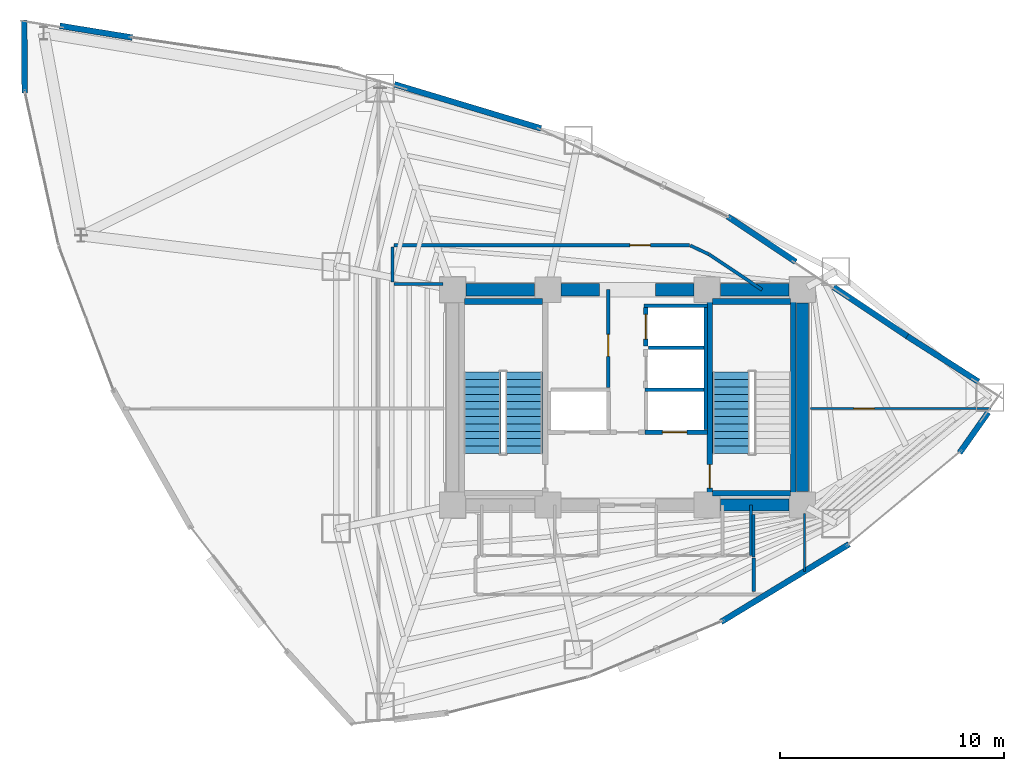
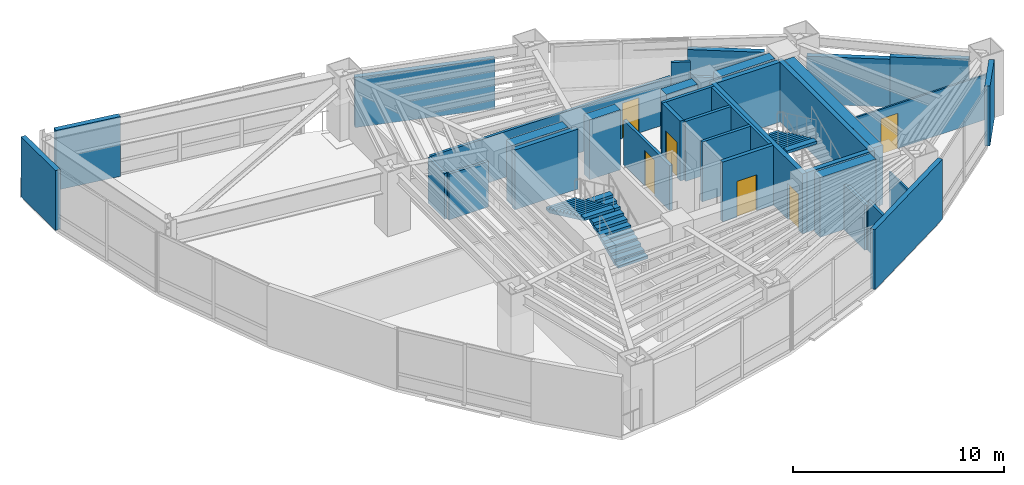
# One storey, part 20 of 23: 36 walls, 6 doors, 3 stair flights, 6 openings, 2 elements without a shape of their own.
"""IFC4 building model written with IfcOpenShell, lengths in metres."""

from ifc_helpers import new_model, si_unit, direction, frame, frame_2d, origin, place, context, subcontext, project, spatial, polyline, rectangle, outline, extrude, material, layer, layer_set, type_object, element, fill, aggregate, save


model = new_model("IFC4")

# Units and contexts
model_context = context("Model", 3, precision=1e-05, world=origin(), true_north=direction((0.0, 1.0)))
body_context = subcontext(model_context, "Body", "Model", "MODEL_VIEW")
ifc_project = project(units=[si_unit("LENGTHUNIT", "METRE"), si_unit("AREAUNIT", "SQUARE_METRE"), si_unit("VOLUMEUNIT", "CUBIC_METRE"), si_unit("PLANEANGLEUNIT", "RADIAN"), si_unit("MASSUNIT", "GRAM", prefix="KILO")], contexts=[model_context])

# Site, building, storey
site_placement = place(None, origin())
site = spatial("IfcSite", under=ifc_project, at=site_placement, CompositionType="ELEMENT")
building_placement = place(site_placement, origin())
building = spatial("IfcBuilding", under=site, at=building_placement, Name="Menara Vayukalpa", CompositionType="ELEMENT")
storey_placement = place(building_placement, frame((0.0, 0.0, 107.699951171875)))
storey = spatial("IfcBuildingStorey", under=building, at=storey_placement, Name="L26", CompositionType="ELEMENT", Elevation=107.699951171875)

# Walls
ifc_material_1 = material(Name="Concrete C60/75", Category="concrete")
ifc_layer_1 = layer(ifc_material_1, 0.550048828125)
ifc_layer_set_1 = layer_set([ifc_layer_1], Name="Concrete C60/75")
wall_type_1 = type_object("IfcWallType", Name="WAL-CW550", PredefinedType="SHEAR", material=ifc_layer_set_1)
wall_1_placement = place(storey_placement, frame((29.7451171875, 17.199951171875, 0.0), z_axis=(0.0, 0.0, 1.0), x_axis=(1.0, 0.0, 0.0)))
element("IfcWall", 1, at=wall_1_placement, inside=storey, type_object=wall_type_1, Name="L26 Buttressed Core Shear Wall CWS4", PredefinedType="SHEAR", context=body_context, shape_type="SweptSolid", body=[
    extrude(rectangle(XDim=3.059814453125, YDim=0.550048828125, at=frame_2d((1.52978515625, 0.0))), origin(), (0.0, 0.0, 1.0), 3.469970703125),
])
wall_2_placement = place(storey_placement, frame((18.39501953125, 26.800048828125, 0.0), z_axis=(0.0, 0.0, 1.0), x_axis=(1.0, 0.0, 0.0)))
element("IfcWall", 2, at=wall_2_placement, inside=storey, type_object=wall_type_1, Name="L26 Buttressed Core Shear Wall CWN1", PredefinedType="SHEAR", context=body_context, shape_type="SweptSolid", body=[
    extrude(rectangle(XDim=3.06005859375, YDim=0.550048828125, at=frame_2d((1.530029296875, 0.0))), origin(), (0.0, 0.0, 1.0), 3.469970703125),
])
wall_3_placement = place(storey_placement, frame((22.64501953125, 26.800048828125, 0.0), z_axis=(0.0, 0.0, 1.0), x_axis=(1.0, 0.0, 0.0)))
element("IfcWall", 3, at=wall_3_placement, inside=storey, type_object=wall_type_1, Name="L26 Buttressed Core Shear Wall CWN2", PredefinedType="SHEAR", context=body_context, shape_type="SweptSolid", body=[
    extrude(rectangle(XDim=1.705078125, YDim=0.550048828125, at=frame_2d((0.8525390625, 0.0))), origin(), (0.0, 0.0, 1.0), 3.469970703125),
])
wall_4_placement = place(storey_placement, frame((26.85009765625, 26.800048828125, 0.0), z_axis=(0.0, 0.0, 1.0), x_axis=(1.0, 0.0, 0.0)))
element("IfcWall", 4, at=wall_4_placement, inside=storey, type_object=wall_type_1, Name="L26 Buttressed Core Shear Wall CWN3", PredefinedType="SHEAR", context=body_context, shape_type="SweptSolid", body=[
    extrude(rectangle(XDim=1.704833984375, YDim=0.550048828125, at=frame_2d((0.8525390625, 0.0))), origin(), (0.0, 0.0, 1.0), 3.469970703125),
])
wall_5_placement = place(storey_placement, frame((29.7451171875, 26.800048828125, 0.0), z_axis=(0.0, 0.0, 1.0), x_axis=(1.0, 0.0, 0.0)))
element("IfcWall", 5, at=wall_5_placement, inside=storey, type_object=wall_type_1, Name="L26 Buttressed Core Shear Wall CWN4", PredefinedType="SHEAR", context=body_context, shape_type="SweptSolid", body=[
    extrude(rectangle(XDim=3.059814453125, YDim=0.550048828125, at=frame_2d((1.52978515625, 0.0))), origin(), (0.0, 0.0, 1.0), 3.469970703125),
])
wall_6_placement = place(storey_placement, frame((33.39990234375, 17.794921875, 0.0), z_axis=(0.0, 0.0, 1.0), x_axis=(0.0, 1.0, 0.0)))
element("IfcWall", 6, at=wall_6_placement, inside=storey, type_object=wall_type_1, Name="L26 Buttressed Core Shear Wall CWE1", PredefinedType="SHEAR", context=body_context, shape_type="SweptSolid", body=[
    extrude(rectangle(XDim=8.41015625, YDim=0.550048828125, at=frame_2d((4.205078125, 0.0))), origin(), (0.0, 0.0, 1.0), 3.469970703125),
])
ifc_material_2 = material(Name="Insulated Precast Concrete C40/50", Category="concrete")
ifc_layer_2 = layer(ifc_material_2, 0.260009765625)
ifc_layer_set_2 = layer_set([ifc_layer_2], Name="Insulated Precast Concrete C40/50")
wall_type_2 = type_object("IfcWallType", Name="WAL-EXT260", PredefinedType="PARTITIONING", material=ifc_layer_set_2)
wall_7_placement = place(storey_placement, frame((41.682373046875, 21.331298828125, 0.0), z_axis=(0.0, 0.0, 1.0), x_axis=(-0.577134204686, -0.816649318729, 0.0)))
element("IfcWall", 7, at=wall_7_placement, inside=storey, type_object=wall_type_2, Name="L26 Perimeter Terracotta Pier Wall 01", PredefinedType="PARTITIONING", context=body_context, shape_type="SweptSolid", body=[
    extrude(rectangle(XDim=2.2099609375, YDim=0.260009765625, at=frame_2d((1.10498046875, 0.0))), origin(), (0.0, 0.0, 1.0), 3.469970703125),
])
wall_8_placement = place(storey_placement, frame((38.07177734375, 24.726806640625, 0.0), z_axis=(0.0, 0.0, 1.0), x_axis=(0.843033549628, -0.537860980367, 0.0)))
element("IfcWall", 8, at=wall_8_placement, inside=storey, type_object=wall_type_2, Name="L26 Perimeter Terracotta Pier Wall 02", PredefinedType="PARTITIONING", context=body_context, shape_type="SweptSolid", body=[
    extrude(rectangle(XDim=3.765625, YDim=0.260009765625, at=frame_2d((1.8828125, 0.0))), origin(), (0.0, 0.0, 1.0), 2.900146484375),
])
wall_9_placement = place(storey_placement, frame((34.783203125, 26.92236328125, 0.0), z_axis=(0.0, 0.0, 1.0), x_axis=(0.831718676225, -0.555197301523, 0.0)))
element("IfcWall", 9, at=wall_9_placement, inside=storey, type_object=wall_type_2, Name="L26 Perimeter Terracotta Pier Wall 03", PredefinedType="PARTITIONING", context=body_context, shape_type="SweptSolid", body=[
    extrude(rectangle(XDim=3.966064453125, YDim=0.260009765625, at=frame_2d((1.98291015625, 0.0))), origin(), (0.0, 0.0, 1.0), 2.77001953125),
])
wall_10_placement = place(storey_placement, frame((30.069580078125, 30.06884765625, 0.0), z_axis=(0.0, 0.0, 1.0), x_axis=(0.831720838908, -0.555194061681, 0.0)))
element("IfcWall", 10, at=wall_10_placement, inside=storey, type_object=wall_type_2, Name="L26 Perimeter Terracotta Pier Wall 04", PredefinedType="PARTITIONING", context=body_context, shape_type="SweptSolid", body=[
    extrude(rectangle(XDim=3.64990234375, YDim=0.260009765625, at=frame_2d((1.824951171875, 0.0))), origin(), (0.0, 0.0, 1.0), 2.900146484375),
])
wall_11_placement = place(storey_placement, frame((15.205078125, 35.960693359375, 0.0), z_axis=(0.0, 0.0, 1.0), x_axis=(0.957547425539, -0.288275784351, 0.0)))
element("IfcWall", 11, at=wall_11_placement, inside=storey, type_object=wall_type_2, Name="L26 Perimeter Terracotta Pier Wall 06", PredefinedType="PARTITIONING", context=body_context, shape_type="SweptSolid", body=[
    extrude(rectangle(XDim=6.830322265625, YDim=0.260009765625, at=frame_2d((3.4150390625, 0.0))), origin(), (0.0, 0.0, 1.0), 2.900146484375),
])
wall_12_placement = place(storey_placement, frame((0.28759765625, 38.567626953125, 0.0), z_axis=(0.0, 0.0, 1.0), x_axis=(0.987086724939, -0.160186758031, 0.0)))
element("IfcWall", 12, at=wall_12_placement, inside=storey, type_object=wall_type_2, Name="L26 Perimeter Terracotta Pier Wall 08", PredefinedType="PARTITIONING", context=body_context, shape_type="SweptSolid", body=[
    extrude(rectangle(XDim=3.281494140625, YDim=0.260009765625, at=frame_2d((1.640625, 0.0))), origin(), (0.0, 0.0, 1.0), 3.469970703125),
])
wall_13_placement = place(storey_placement, frame((-1.2744140625, 35.567626953125, 0.0), z_axis=(0.0, 0.0, 1.0), x_axis=(-0.007419416555, 0.99997247575, 0.0)))
element("IfcWall", 13, at=wall_13_placement, inside=storey, type_object=wall_type_2, Name="L26 Perimeter Terracotta Pier Wall 09", PredefinedType="PARTITIONING", context=body_context, shape_type="SweptSolid", body=[
    extrude(rectangle(XDim=3.257568359375, YDim=0.260009765625, at=frame_2d((1.62890625, 0.0))), origin(), (0.0, 0.0, 1.0), 3.469970703125),
])
wall_14_placement = place(storey_placement, frame((35.47998046875, 15.455078125, 0.0), z_axis=(0.0, 0.0, 1.0), x_axis=(-0.854673977685, -0.51916509115, 0.0)))
element("IfcWall", 14, at=wall_14_placement, inside=storey, type_object=wall_type_2, Name="L26 Perimeter Terracotta Pier Wall 18", PredefinedType="PARTITIONING", context=body_context, shape_type="SweptSolid", body=[
    extrude(rectangle(XDim=6.678466796875, YDim=0.260009765625, at=frame_2d((3.33935546875, 0.0))), origin(), (0.0, 0.0, 1.0), 3.469970703125),
])
ifc_material_3 = material(Name="Lightweight Concrete Blockwork C16/20", Category="masonry")
ifc_layer_3 = layer(ifc_material_3, 0.159912109375)
ifc_layer_set_3 = layer_set([ifc_layer_3], Name="Lightweight Concrete Blockwork C16/20")
wall_type_3 = type_object("IfcWallType", Name="WAL-FR150", PredefinedType="PARTITIONING", material=ifc_layer_set_3)
wall_15_placement = place(storey_placement, frame((29.094970703125, 20.56005859375, 0.0), z_axis=(0.0, 0.0, 1.0), x_axis=(0.0, 1.0, 0.0)))
element("IfcWall", 15, at=wall_15_placement, inside=storey, type_object=wall_type_3, Name="L26 Interior Partition IW-L26-SHW-EE", PredefinedType="PARTITIONING", context=body_context, shape_type="SweptSolid", body=[
    extrude(rectangle(XDim=5.449951171875, YDim=0.159912109375, at=frame_2d((2.72509765625, 0.0))), origin(), (0.0, 0.0, 1.0), 3.469970703125),
])
wall_16_placement = place(storey_placement, frame((26.3701171875, 22.344970703125, 0.0), z_axis=(0.0, 0.0, 1.0), x_axis=(1.0, 0.0, 0.0)))
element("IfcWall", 16, at=wall_16_placement, inside=storey, type_object=wall_type_3, Name="L26 Interior Partition IW-L26-SHM-E13", PredefinedType="PARTITIONING", context=body_context, shape_type="SweptSolid", body=[
    extrude(rectangle(XDim=2.64990234375, YDim=0.159912109375, at=frame_2d((1.324951171875, 0.0))), origin(), (0.0, 0.0, 1.0), 3.469970703125),
])
wall_17_placement = place(storey_placement, frame((26.530029296875, 24.215087890625, 0.0), z_axis=(0.0, 0.0, 1.0), x_axis=(1.0, 0.0, 0.0)))
element("IfcWall", 17, at=wall_17_placement, inside=storey, type_object=wall_type_3, Name="L26 Interior Partition IW-L26-SHM-E32", PredefinedType="PARTITIONING", context=body_context, shape_type="SweptSolid", body=[
    extrude(rectangle(XDim=2.489990234375, YDim=0.159912109375, at=frame_2d((1.2451171875, 0.0))), origin(), (0.0, 0.0, 1.0), 3.469970703125),
])
wall_18_placement = place(storey_placement, frame((26.340087890625, 26.0849609375, 0.0), z_axis=(0.0, 0.0, 1.0), x_axis=(1.0, 0.0, 0.0)))
element("IfcWall", 18, at=wall_18_placement, inside=storey, type_object=wall_type_3, Name="L26 Interior Partition IW-L26-SHM-E2N", PredefinedType="PARTITIONING", context=body_context, shape_type="SweptSolid", body=[
    extrude(rectangle(XDim=2.829833984375, YDim=0.159912109375, at=frame_2d((1.4150390625, 0.0))), origin(), (0.0, 0.0, 1.0), 3.469970703125),
])

# Wall, opening, door
wall_19_placement = place(storey_placement, frame((24.739990234375, 22.429931640625, 0.0), z_axis=(0.0, 0.0, 1.0), x_axis=(0.0, 1.0, 0.0)))
wall_19 = element("IfcWall", 19, at=wall_19_placement, inside=storey, type_object=wall_type_3, Name="L26 Interior Partition IW-L26-LV7W", PredefinedType="PARTITIONING", context=body_context, shape_type="SweptSolid", body=[
    extrude(rectangle(XDim=4.3701171875, YDim=0.159912109375, at=frame_2d((2.18505859375, 0.0))), origin(), (0.0, 0.0, 1.0), 2.60009765625),
])
opening_1_placement = place(wall_19_placement, frame((1.39990234375, 0.0, 0.0)))
opening_1 = element("IfcOpeningElement", 20, at=opening_1_placement, cuts=wall_19, Name="Opening ID3", PredefinedType="OPENING", context=body_context, shape_type="SweptSolid", body=[
    extrude(rectangle(XDim=0.97998046875, YDim=2.06005859375, at=frame_2d((0.489990234375, 1.030029296875))), frame((0.0, 0.08984375, 0.0), z_axis=(0.0, -1.0, 0.0), x_axis=(1.0, 0.0, 0.0)), (0.0, 0.0, 1.0), 0.179931640625),
])
ifc_material_4 = material(Name="Fire-Rated Powder-Coated Steel Door", Category="steel")
door_type_1 = type_object("IfcDoorType", Name="DR-FD60", OperationType="NOTDEFINED", PredefinedType="DOOR", material=ifc_material_4)
door_1_placement = place(opening_1_placement, origin())
door_1 = element("IfcDoor", 21, at=door_1_placement, inside=storey, type_object=door_type_1, Name="L26 Interior Door DR-L26-LV7W", OperationType="SINGLE_SWING_LEFT", OverallHeight=2.06005859375, OverallWidth=0.97998046875, PredefinedType="DOOR", context=body_context, shape_type="SweptSolid", body=[
    extrude(rectangle(XDim=0.97998046875, YDim=2.06005859375, at=frame_2d((0.489990234375, 1.030029296875))), frame((0.0, 0.02490234375, 0.0), z_axis=(0.0, -1.0, 0.0), x_axis=(1.0, 0.0, 0.0)), (0.0, 0.0, 1.0), 0.050048828125),
])
fill(opening_1, door_1)

ifc_material_5 = material(Name="Lightweight Concrete Blockwork C16/20", Category="masonry")
ifc_layer_4 = layer(ifc_material_5, 0.199951171875)
ifc_layer_set_4 = layer_set([ifc_layer_4], Name="Lightweight Concrete Blockwork C16/20")
wall_type_4 = type_object("IfcWallType", Name="WAL-FR200", PredefinedType="PARTITIONING", material=ifc_layer_set_4)
wall_20_placement = place(storey_placement, frame((26.3701171875, 20.449951171875, 0.0), z_axis=(0.0, 0.0, 1.0), x_axis=(1.0, 0.0, 0.0)))
wall_20 = element("IfcWall", 22, at=wall_20_placement, inside=storey, type_object=wall_type_4, Name="L26 Interior Partition IW-L26-SH-E1", PredefinedType="PARTITIONING", context=body_context, shape_type="SweptSolid", body=[
    extrude(rectangle(XDim=2.7998046875, YDim=0.199951171875, at=frame_2d((1.39990234375, 0.0))), origin(), (0.0, 0.0, 1.0), 3.469970703125),
])
opening_2_placement = place(wall_20_placement, frame((0.780029296875, 0.0, 0.0)))
opening_2 = element("IfcOpeningElement", 23, at=opening_2_placement, cuts=wall_20, Name="Opening LD1", PredefinedType="OPENING", context=body_context, shape_type="SweptSolid", body=[
    extrude(rectangle(XDim=1.10009765625, YDim=2.080078125, at=frame_2d((0.550048828125, 1.0400390625))), frame((0.0, 0.10986328125, 0.0), z_axis=(0.0, -1.0, 0.0), x_axis=(1.0, 0.0, 0.0)), (0.0, 0.0, 1.0), 0.219970703125),
])
ifc_material_6 = material(Name="Brushed Stainless Steel 316 Lift Door", Category="steel")
door_type_2 = type_object("IfcDoorType", Name="DR-LD110", OperationType="NOTDEFINED", PredefinedType="DOOR", material=ifc_material_6)
door_2_placement = place(opening_2_placement, origin())
door_2 = element("IfcDoor", 24, at=door_2_placement, inside=storey, type_object=door_type_2, Name="L26 Interior Door DR-L26-LD-E1", OperationType="DOUBLE_DOOR_SLIDING", OverallHeight=2.080078125, OverallWidth=1.10009765625, PredefinedType="DOOR", context=body_context, shape_type="SweptSolid", body=[
    extrude(rectangle(XDim=1.10009765625, YDim=2.080078125, at=frame_2d((0.550048828125, 1.0400390625))), frame((0.0, 0.02490234375, 0.0), z_axis=(0.0, -1.0, 0.0), x_axis=(1.0, 0.0, 0.0)), (0.0, 0.0, 1.0), 0.050048828125),
])
fill(opening_2, door_2)

wall_21_placement = place(storey_placement, frame((26.419921875, 24.2900390625, 0.0), z_axis=(0.0, 0.0, 1.0), x_axis=(0.0, 1.0, 0.0)))
wall_21 = element("IfcWall", 25, at=wall_21_placement, inside=storey, type_object=wall_type_4, Name="L26 Interior Partition IW-L26-SH-E2", PredefinedType="PARTITIONING", context=body_context, shape_type="SweptSolid", body=[
    extrude(rectangle(XDim=1.719970703125, YDim=0.199951171875, at=frame_2d((0.85986328125, 0.0))), origin(), (0.0, 0.0, 1.0), 3.469970703125),
])
opening_3_placement = place(wall_21_placement, frame((0.31005859375, 0.0, 0.0)))
opening_3 = element("IfcOpeningElement", 26, at=opening_3_placement, cuts=wall_21, Name="Opening LD1", PredefinedType="OPENING", context=body_context, shape_type="SweptSolid", body=[
    extrude(rectangle(XDim=1.10009765625, YDim=2.080078125, at=frame_2d((0.550048828125, 1.0400390625))), frame((0.0, 0.10986328125, 0.0), z_axis=(0.0, -1.0, 0.0), x_axis=(1.0, 0.0, 0.0)), (0.0, 0.0, 1.0), 0.219970703125),
])
door_3_placement = place(opening_3_placement, origin())
door_3 = element("IfcDoor", 27, at=door_3_placement, inside=storey, type_object=door_type_2, Name="L26 Interior Door DR-L26-LD-E2", OperationType="DOUBLE_DOOR_SLIDING", OverallHeight=2.080078125, OverallWidth=1.10009765625, PredefinedType="DOOR", context=body_context, shape_type="SweptSolid", body=[
    extrude(rectangle(XDim=1.10009765625, YDim=2.080078125, at=frame_2d((0.550048828125, 1.0400390625))), frame((0.0, 0.02490234375, 0.0), z_axis=(0.0, -1.0, 0.0), x_axis=(1.0, 0.0, 0.0)), (0.0, 0.0, 1.0), 0.050048828125),
])
fill(opening_3, door_3)

# Wall
ifc_material_7 = material(Name="Glazed Demountable Office Partition", Category="glass")
ifc_layer_5 = layer(ifc_material_7, 0.094970703125)
ifc_layer_set_5 = layer_set([ifc_layer_5], Name="Glazed Demountable Office Partition")
wall_type_5 = type_object("IfcWallType", Name="WAL-PT100", PredefinedType="PARTITIONING", material=ifc_layer_set_5)
wall_22_placement = place(storey_placement, frame((33.5, 14.24072265625, 0.0), z_axis=(0.0, 0.0, 1.0), x_axis=(0.0, 1.0, 0.0)))
element("IfcWall", 28, at=wall_22_placement, inside=storey, type_object=wall_type_5, Name="L26 Interior Partition IW-L26-RDIV02", PredefinedType="PARTITIONING", context=body_context, shape_type="SweptSolid", body=[
    extrude(rectangle(XDim=2.58935546875, YDim=0.094970703125, at=frame_2d((1.294677734375, 0.0))), origin(), (0.0, 0.0, 1.0), 2.60009765625),
])

# Wall, opening, door
wall_23_placement = place(storey_placement, frame((33.77001953125, 21.5, 0.0), z_axis=(0.0, 0.0, 1.0), x_axis=(1.0, 0.0, 0.0)))
wall_23 = element("IfcWall", 29, at=wall_23_placement, inside=storey, type_object=wall_type_5, Name="L26 Interior Partition IW-L26-RDIV04", PredefinedType="PARTITIONING", context=body_context, shape_type="SweptSolid", body=[
    extrude(rectangle(XDim=8.043701171875, YDim=0.094970703125, at=frame_2d((4.02197265625, 0.0))), origin(), (0.0, 0.0, 1.0), 2.60009765625),
])
opening_4_placement = place(wall_23_placement, frame((1.9208984375, 0.0, 0.0)))
opening_4 = element("IfcOpeningElement", 30, at=opening_4_placement, cuts=wall_23, Name="Opening ID6", PredefinedType="OPENING", context=body_context, shape_type="SweptSolid", body=[
    extrude(rectangle(XDim=0.919921875, YDim=2.050048828125, at=frame_2d((0.4599609375, 1.02490234375))), frame((0.0, 0.057373046875, 0.0), z_axis=(0.0, -1.0, 0.0), x_axis=(1.0, 0.0, 0.0)), (0.0, 0.0, 1.0), 0.114990234375),
])
ifc_material_8 = material(Name="Acoustic Hardwood Veneer Timber Door", Category="wood")
door_type_3 = type_object("IfcDoorType", Name="DR-INT92", OperationType="NOTDEFINED", PredefinedType="DOOR", material=ifc_material_8)
door_4_placement = place(opening_4_placement, origin())
door_4 = element("IfcDoor", 31, at=door_4_placement, inside=storey, type_object=door_type_3, Name="L26 Interior Door DR-L26-STE03", OperationType="SINGLE_SWING_LEFT", OverallHeight=2.050048828125, OverallWidth=0.919921875, PredefinedType="DOOR", context=body_context, shape_type="SweptSolid", body=[
    extrude(rectangle(XDim=0.919921875, YDim=2.050048828125, at=frame_2d((0.4599609375, 1.02490234375))), frame((0.0, 0.02490234375, 0.0), z_axis=(0.0, -1.0, 0.0), x_axis=(1.0, 0.0, 0.0)), (0.0, 0.0, 1.0), 0.050048828125),
])
fill(opening_4, door_4)

# Walls
ifc_material_9 = material(Name="Gypsum Drywall Steel Stud Assembly", Category="steel")
ifc_layer_6 = layer(ifc_material_9, 0.125)
ifc_layer_set_6 = layer_set([ifc_layer_6], Name="Gypsum Drywall Steel Stud Assembly")
wall_type_6 = type_object("IfcWallType", Name="WAL-PT125", PredefinedType="PARTITIONING", material=ifc_layer_set_6)
wall_24_placement = place(storey_placement, frame((31.10009765625, 14.949951171875, 0.0), z_axis=(0.0, 0.0, 1.0), x_axis=(0.0, 1.0, 0.0)))
element("IfcWall", 32, at=wall_24_placement, inside=storey, type_object=wall_type_6, Name="L26 Interior Partition IW-L26-SVCD-07", PredefinedType="PARTITIONING", context=body_context, shape_type="SweptSolid", body=[
    extrude(rectangle(XDim=2.25, YDim=0.125, at=frame_2d((1.125, 0.0))), origin(), (0.0, 0.0, 1.0), 2.60009765625),
])
ifc_material_10 = material(Name="Gypsum Drywall Acoustic Stud Assembly", Category="masonry")
ifc_layer_7 = layer(ifc_material_10, 0.14501953125)
ifc_layer_set_7 = layer_set([ifc_layer_7], Name="Gypsum Drywall Acoustic Stud Assembly")
wall_type_7 = type_object("IfcWallType", Name="WAL-PT150", PredefinedType="PARTITIONING", material=ifc_layer_set_7)
wall_25_placement = place(storey_placement, frame((31.22998046875, 13.351318359375, 0.0), z_axis=(0.0, 0.0, 1.0), x_axis=(0.0, 1.0, 0.0)))
element("IfcWall", 33, at=wall_25_placement, inside=storey, type_object=wall_type_7, Name="L26 Interior Partition IW-L26-CRM02-4", PredefinedType="PARTITIONING", context=body_context, shape_type="SweptSolid", body=[
    extrude(rectangle(XDim=1.498779296875, YDim=0.14501953125, at=frame_2d((0.74951171875, 0.0))), origin(), (0.0, 0.0, 1.0), 2.900146484375),
])
wall_26_placement = place(storey_placement, frame((31.219970703125, 14.888671875, 0.0), z_axis=(0.0, 0.0, 1.0), x_axis=(0.0, 1.0, 0.0)))
element("IfcWall", 34, at=wall_26_placement, inside=storey, type_object=wall_type_7, Name="L26 Interior Partition IW-L26-CRM02-5", PredefinedType="PARTITIONING", context=body_context, shape_type="SweptSolid", body=[
    extrude(rectangle(XDim=1.891357421875, YDim=0.14501953125, at=frame_2d((0.94580078125, 0.0))), origin(), (0.0, 0.0, 1.0), 2.60009765625),
])
wall_27_placement = place(storey_placement, frame((31.598388671875, 26.800048828125, 0.0), z_axis=(0.0, 0.0, 1.0), x_axis=(-0.831758510993, 0.555137622028, 0.0)))
element("IfcWall", 35, at=wall_27_placement, inside=storey, type_object=wall_type_7, Name="L26 Interior Partition IW-L26-CRM04-1", PredefinedType="PARTITIONING", context=body_context, shape_type="SweptSolid", body=[
    extrude(rectangle(XDim=2.8330078125, YDim=0.14501953125, at=frame_2d((1.41650390625, 0.0))), origin(), (0.0, 0.0, 1.0), 2.60009765625),
])
wall_28_placement = place(storey_placement, frame((29.231689453125, 28.378662109375, 0.0), z_axis=(0.0, 0.0, 1.0), x_axis=(-0.903829701814, 0.427892358098, 0.0)))
element("IfcWall", 36, at=wall_28_placement, inside=storey, type_object=wall_type_7, Name="L26 Interior Partition IW-L26-CRM04-2", PredefinedType="PARTITIONING", context=body_context, shape_type="SweptSolid", body=[
    extrude(rectangle(XDim=0.919677734375, YDim=0.14501953125, at=frame_2d((0.4599609375, 0.0))), origin(), (0.0, 0.0, 1.0), 3.469970703125),
])

# Wall, opening, door
wall_29_placement = place(storey_placement, frame((28.3662109375, 28.780029296875, 0.0), z_axis=(0.0, 0.0, 1.0), x_axis=(-1.0, 0.0, 0.0)))
wall_29 = element("IfcWall", 37, at=wall_29_placement, inside=storey, type_object=wall_type_7, Name="L26 Interior Partition IW-L26-CRM04-3", PredefinedType="PARTITIONING", context=body_context, shape_type="SweptSolid", body=[
    extrude(rectangle(XDim=13.166259765625, YDim=0.14501953125, at=frame_2d((6.5830078125, 0.0))), origin(), (0.0, 0.0, 1.0), 2.650146484375),
])
opening_5_placement = place(wall_29_placement, frame((1.74072265625, 0.0, 0.0)))
opening_5 = element("IfcOpeningElement", 38, at=opening_5_placement, cuts=wall_29, Name="Opening ID6", PredefinedType="OPENING", context=body_context, shape_type="SweptSolid", body=[
    extrude(rectangle(XDim=0.919921875, YDim=2.050048828125, at=frame_2d((0.4599609375, 1.02490234375))), frame((0.0, 0.08251953125, 0.0), z_axis=(0.0, -1.0, 0.0), x_axis=(1.0, 0.0, 0.0)), (0.0, 0.0, 1.0), 0.1650390625),
])
door_5_placement = place(opening_5_placement, origin())
door_5 = element("IfcDoor", 39, at=door_5_placement, inside=storey, type_object=door_type_3, Name="L26 Interior Door DR-L26-RM04", OperationType="SINGLE_SWING_RIGHT", OverallHeight=2.050048828125, OverallWidth=0.919921875, PredefinedType="DOOR", context=body_context, shape_type="SweptSolid", body=[
    extrude(rectangle(XDim=0.919921875, YDim=2.050048828125, at=frame_2d((0.4599609375, 1.02490234375))), frame((0.0, 0.02490234375, 0.0), z_axis=(0.0, -1.0, 0.0), x_axis=(1.0, 0.0, 0.0)), (0.0, 0.0, 1.0), 0.050048828125),
])
fill(opening_5, door_5)

# Walls
wall_30_placement = place(storey_placement, frame((15.1201171875, 28.699951171875, 0.0), z_axis=(0.0, 0.0, 1.0), x_axis=(0.0, -1.0, 0.0)))
element("IfcWall", 40, at=wall_30_placement, inside=storey, type_object=wall_type_7, Name="L26 Interior Partition IW-L26-CRM04-4", PredefinedType="PARTITIONING", context=body_context, shape_type="SweptSolid", body=[
    extrude(rectangle(XDim=1.56005859375, YDim=0.14501953125, at=frame_2d((0.780029296875, 0.0))), origin(), (0.0, 0.0, 1.0), 2.650146484375),
])
wall_31_placement = place(storey_placement, frame((15.199951171875, 27.06005859375, 0.0), z_axis=(0.0, 0.0, 1.0), x_axis=(1.0, 0.0, 0.0)))
element("IfcWall", 41, at=wall_31_placement, inside=storey, type_object=wall_type_7, Name="L26 Interior Partition IW-L26-CRM04-5", PredefinedType="PARTITIONING", context=body_context, shape_type="SweptSolid", body=[
    extrude(rectangle(XDim=2.179931640625, YDim=0.14501953125, at=frame_2d((1.08984375, 0.0))), origin(), (0.0, 0.0, 1.0), 2.650146484375),
])
ifc_material_11 = material(Name="Concrete C50/60", Category="concrete")
ifc_layer_8 = layer(ifc_material_11, 0.25)
ifc_layer_set_8 = layer_set([ifc_layer_8], Name="Concrete C50/60")
wall_type_8 = type_object("IfcWallType", Name="WAL-SW250", PredefinedType="SHEAR", material=ifc_layer_set_8)
wall_32_placement = place(storey_placement, frame((18.3291015625, 26.27490234375, 0.0), z_axis=(0.0, 0.0, 1.0), x_axis=(1.0, 0.0, 0.0)))
element("IfcWall", 42, at=wall_32_placement, inside=storey, type_object=wall_type_8, Name="L26 ST1 Structural Stair Shaft Wall N", PredefinedType="SHEAR", context=body_context, shape_type="SweptSolid", body=[
    extrude(rectangle(XDim=3.470947265625, YDim=0.25, at=frame_2d((1.7353515625, 0.0))), origin(), (0.0, 0.0, 1.0), 3.469970703125),
])

# Wall, opening, door
wall_33_placement = place(storey_placement, frame((29.27490234375, 17.60009765625, 0.0), z_axis=(0.0, 0.0, 1.0), x_axis=(0.0, 1.0, 0.0)))
wall_33 = element("IfcWall", 43, at=wall_33_placement, inside=storey, type_object=wall_type_8, Name="L26 ST2 Structural Stair Shaft Wall W", PredefinedType="SHEAR", context=body_context, shape_type="SweptSolid", body=[
    extrude(rectangle(XDim=8.7998046875, YDim=0.25, at=frame_2d((4.39990234375, 0.0))), origin(), (0.0, 0.0, 1.0), 3.469970703125),
])
opening_6_placement = place(wall_33_placement, frame((0.35009765625, 0.0, 0.0)))
opening_6 = element("IfcOpeningElement", 44, at=opening_6_placement, cuts=wall_33, Name="Opening ID1", PredefinedType="OPENING", context=body_context, shape_type="SweptSolid", body=[
    extrude(rectangle(XDim=1.050048828125, YDim=2.080078125, at=frame_2d((0.52490234375, 1.0400390625))), frame((0.0, 0.135009765625, 0.0), z_axis=(0.0, -1.0, 0.0), x_axis=(1.0, 0.0, 0.0)), (0.0, 0.0, 1.0), 0.27001953125),
])
ifc_material_12 = material(Name="Fire-Rated Powder-Coated Steel Door", Category="steel")
door_type_4 = type_object("IfcDoorType", Name="DR-FD120", OperationType="NOTDEFINED", PredefinedType="DOOR", material=ifc_material_12)
door_6_placement = place(opening_6_placement, origin())
door_6 = element("IfcDoor", 45, at=door_6_placement, inside=storey, type_object=door_type_4, Name="L26 Stair Exit Door DR-L26-ST2", OperationType="SINGLE_SWING_RIGHT", OverallHeight=2.080078125, OverallWidth=1.050048828125, PredefinedType="DOOR", context=body_context, shape_type="SweptSolid", body=[
    extrude(rectangle(XDim=1.050048828125, YDim=2.080078125, at=frame_2d((0.52490234375, 1.0400390625))), frame((0.0, 0.02490234375, 0.0), z_axis=(0.0, -1.0, 0.0), x_axis=(1.0, 0.0, 0.0)), (0.0, 0.0, 1.0), 0.050048828125),
])
fill(opening_6, door_6)

# Walls
wall_34_placement = place(storey_placement, frame((32.99609375, 17.60009765625, 0.0), z_axis=(0.0, 0.0, 1.0), x_axis=(0.0, 1.0, 0.0)))
element("IfcWall", 46, at=wall_34_placement, inside=storey, type_object=wall_type_8, Name="L26 ST2 Structural Stair Shaft Wall E", PredefinedType="SHEAR", context=body_context, shape_type="SweptSolid", body=[
    extrude(rectangle(XDim=8.7998046875, YDim=0.25, at=frame_2d((4.39990234375, 0.0))), origin(), (0.0, 0.0, 1.0), 3.469970703125),
])
for number, where, z_axis, x_axis, name in (
    (47, (29.39990234375, 17.72509765625, 0.0), (0.0, 0.0, 1.0), (1.0, 0.0, 0.0), "L26 ST2 Structural Stair Shaft Wall S"),
    (48, (29.39990234375, 26.27490234375, 0.0), (0.0, 0.0, 1.0), (1.0, 0.0, 0.0), "L26 ST2 Structural Stair Shaft Wall N"),
):
    element("IfcWall", number, at=place(storey_placement, frame(where, z_axis=z_axis, x_axis=x_axis)), inside=storey, type_object=wall_type_8, Name=name, PredefinedType="SHEAR", context=body_context, shape_type="SweptSolid", body=[
        extrude(rectangle(XDim=3.47119140625, YDim=0.25, at=frame_2d((1.735595703125, 0.0))), origin(), (0.0, 0.0, 1.0), 3.469970703125),
    ])

# Stair, stair flights
ifc_material_13 = material(Name="Precast Concrete C40/50", Category="concrete")
stair_type = type_object("IfcStairType", Name="STR-T04", PredefinedType="DOUBLE_RETURN_STAIR", material=ifc_material_13)
stair_1_placement = place(storey_placement, origin())
stair_1 = element("IfcStair", 49, at=stair_1_placement, inside=storey, type_object=stair_type, Name="L26 Core Exit Stair ST-1", PredefinedType="DOUBLE_RETURN_STAIR")
ifc_material_14 = material(Name="Precast Concrete C40/50", Category="concrete")
stair_flight_type = type_object("IfcStairFlightType", Name="STF-T04", PredefinedType="STRAIGHT", material=ifc_material_14)
stair_flight_1_placement = place(storey_placement, frame((20.97509765625, 19.5, 0.0), z_axis=(0.0, 0.0, 1.0), x_axis=(0.0, 1.0, 0.0)))
stair_flight_1 = element("IfcStairFlight", 50, at=stair_flight_1_placement, type_object=stair_flight_type, Name="ST-1 flight 1", NumberOfRisers=12, NumberOfTreads=11, PredefinedType="STRAIGHT", RiserHeight=0.155, TreadLength=0.33, context=body_context, shape_type="SweptSolid", body=[
    extrude(outline(polyline([(0.0, 0.0), (0.0, 0.155029296875), (0.330078125, 0.155029296875), (0.330078125, 0.31005859375), (0.659912109375, 0.31005859375), (0.659912109375, 0.465087890625), (0.989990234375, 0.465087890625), (0.989990234375, 0.6201171875), (1.320068359375, 0.6201171875), (1.320068359375, 0.77490234375), (1.64990234375, 0.77490234375), (1.64990234375, 0.929931640625), (1.97998046875, 0.929931640625), (1.97998046875, 1.0849609375), (2.31005859375, 1.0849609375), (2.31005859375, 1.239990234375), (2.639892578125, 1.239990234375), (2.639892578125, 1.39501953125), (2.969970703125, 1.39501953125), (2.969970703125, 1.550048828125), (3.300048828125, 1.550048828125), (3.300048828125, 1.705078125), (3.6298828125, 1.705078125), (3.6298828125, 1.860107421875), (3.6298828125, 1.539306640625), (0.3525390625, 0.0), (0.0, 0.0)])), frame((0.0, 0.824951171875, 0.0), z_axis=(0.0, -1.0, 0.0), x_axis=(1.0, 0.0, 0.0)), (0.0, 0.0, 1.0), 1.64990234375),
])
stair_flight_2_placement = place(storey_placement, frame((19.125, 23.1298828125, 1.860107421875), z_axis=(0.0, 0.0, 1.0), x_axis=(0.0, -1.0, 0.0)))
stair_flight_2 = element("IfcStairFlight", 51, at=stair_flight_2_placement, type_object=stair_flight_type, Name="ST-1 flight 2", NumberOfRisers=12, NumberOfTreads=11, PredefinedType="STRAIGHT", RiserHeight=0.155, TreadLength=0.33, context=body_context, shape_type="SweptSolid", body=[
    extrude(outline(polyline([(0.0, 0.0), (0.0, 0.155029296875), (0.330078125, 0.155029296875), (0.330078125, 0.31005859375), (0.659912109375, 0.31005859375), (0.659912109375, 0.465087890625), (0.989990234375, 0.465087890625), (0.989990234375, 0.6201171875), (1.320068359375, 0.6201171875), (1.320068359375, 0.77490234375), (1.64990234375, 0.77490234375), (1.64990234375, 0.929931640625), (1.97998046875, 0.929931640625), (1.97998046875, 1.0849609375), (2.31005859375, 1.0849609375), (2.31005859375, 1.239990234375), (2.639892578125, 1.239990234375), (2.639892578125, 1.39501953125), (2.969970703125, 1.39501953125), (2.969970703125, 1.550048828125), (3.300048828125, 1.550048828125), (3.300048828125, 1.705078125), (3.6298828125, 1.705078125), (3.6298828125, 1.860107421875), (3.6298828125, 1.539306640625), (0.3525390625, 0.0), (0.0, 0.0)])), frame((0.0, 0.824951171875, 0.0), z_axis=(0.0, -1.0, 0.0), x_axis=(1.0, 0.0, 0.0)), (0.0, 0.0, 1.0), 1.64990234375),
])
aggregate(stair_1, [stair_flight_1, stair_flight_2])

# Stair, stair flight
stair_2_placement = place(storey_placement, origin())
stair_2 = element("IfcStair", 52, at=stair_2_placement, inside=storey, type_object=stair_type, Name="L26 Core Exit Stair ST-2", PredefinedType="DOUBLE_RETURN_STAIR")
stair_flight_3_placement = place(storey_placement, frame((30.22509765625, 23.1298828125, 1.860107421875), z_axis=(0.0, 0.0, 1.0), x_axis=(0.0, -1.0, 0.0)))
stair_flight_3 = element("IfcStairFlight", 53, at=stair_flight_3_placement, type_object=stair_flight_type, Name="ST-2 flight 2", NumberOfRisers=12, NumberOfTreads=11, PredefinedType="STRAIGHT", RiserHeight=0.155, TreadLength=0.33, context=body_context, shape_type="SweptSolid", body=[
    extrude(outline(polyline([(0.0, 0.0), (0.0, 0.155029296875), (0.330078125, 0.155029296875), (0.330078125, 0.31005859375), (0.659912109375, 0.31005859375), (0.659912109375, 0.465087890625), (0.989990234375, 0.465087890625), (0.989990234375, 0.6201171875), (1.320068359375, 0.6201171875), (1.320068359375, 0.77490234375), (1.64990234375, 0.77490234375), (1.64990234375, 0.929931640625), (1.97998046875, 0.929931640625), (1.97998046875, 1.0849609375), (2.31005859375, 1.0849609375), (2.31005859375, 1.239990234375), (2.639892578125, 1.239990234375), (2.639892578125, 1.39501953125), (2.969970703125, 1.39501953125), (2.969970703125, 1.550048828125), (3.300048828125, 1.550048828125), (3.300048828125, 1.705078125), (3.6298828125, 1.705078125), (3.6298828125, 1.860107421875), (3.6298828125, 1.539306640625), (0.3525390625, 0.0), (0.0, 0.0)])), frame((0.0, 0.824951171875, 0.0), z_axis=(0.0, -1.0, 0.0), x_axis=(1.0, 0.0, 0.0)), (0.0, 0.0, 1.0), 1.64990234375),
])
aggregate(stair_2, [stair_flight_3])

save(model, "model.ifc")
